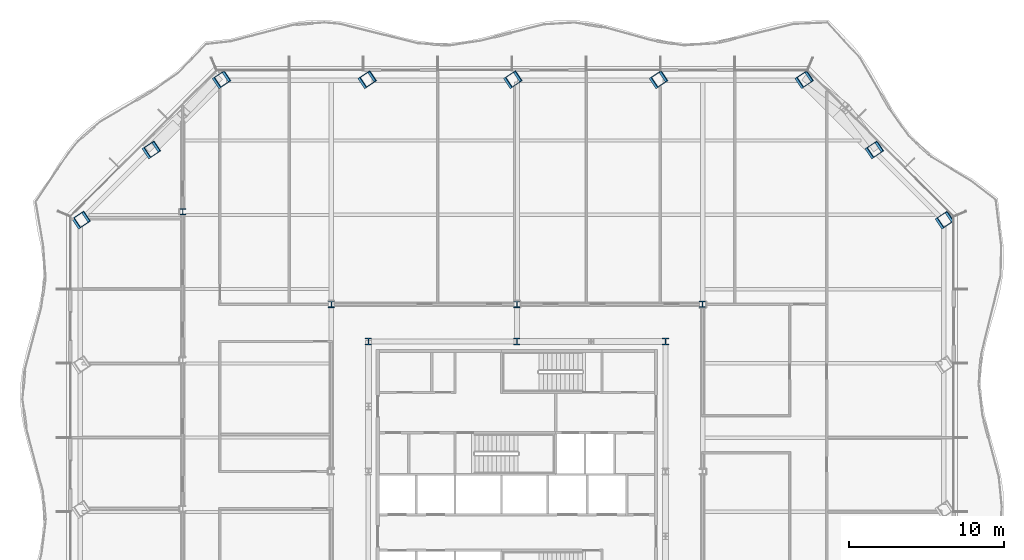
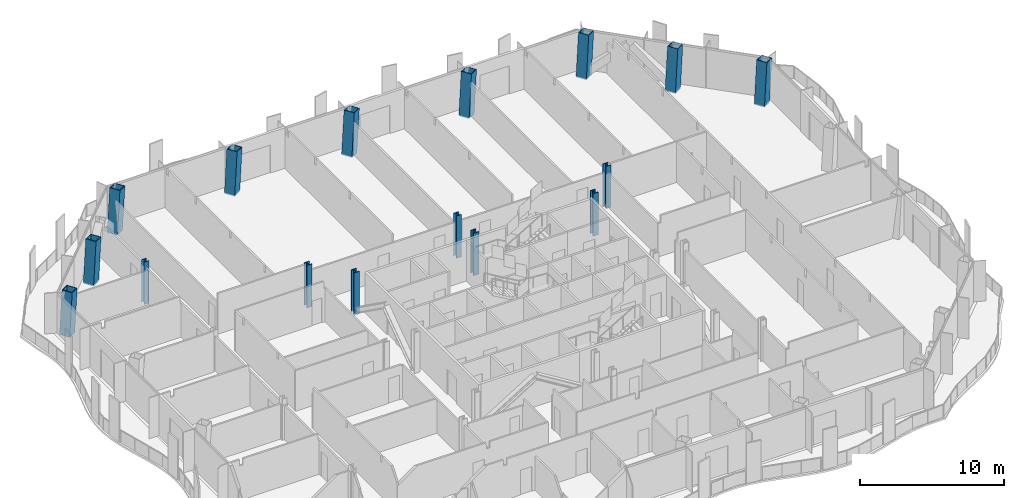
# One storey, part 2 of 22: 16 columns.
"""IFC4 building model written with IfcOpenShell, lengths in metres."""

import ifcopenshell
import ifcopenshell.guid

model = None  # the IFC model being written
_history = None  # IfcOwnerHistory: only IFC2X3 demands one
_inside = {}  # id of a spatial element -> (the spatial element, [elements in it])
_under = {}  # id of a project, library or spatial element -> (it, [spatial elements below it])
_declared = {}  # id of a project -> (the project, [libraries it declares])
_typed = {}  # id of a type object -> (the type object, [elements of that type])
_made_of = {}  # id of a material, layer set ... -> (it, [elements and type objects made of it])


def new_model(schema):
    """Start an empty IFC model of exactly this schema.

    Asked for "IFC4X3", IfcOpenShell would pick the latest addendum, in which some entities
    have other attributes; the version numbers below select the first issue.
    IFC2X3 requires an IfcOwnerHistory on every rooted entity: one is made here for all.
    """
    global model, _history
    if schema == "IFC4X3":
        model = ifcopenshell.file(schema_version=(4, 3, 0, 0))
    else:
        model = ifcopenshell.file(schema=schema)
    _inside.clear()
    _under.clear()
    _declared.clear()
    _typed.clear()
    _made_of.clear()
    _history = None
    if model.schema == "IFC2X3":
        org = make("IfcOrganization", Name="unknown")
        user = make(
            "IfcPersonAndOrganization",
            ThePerson=make("IfcPerson", FamilyName="unknown"),
            TheOrganization=org,
        )
        app = make(
            "IfcApplication",
            ApplicationDeveloper=org,
            Version="unknown",
            ApplicationFullName="unknown",
            ApplicationIdentifier="unknown",
        )
        _history = make(
            "IfcOwnerHistory",
            OwningUser=user,
            OwningApplication=app,
            ChangeAction="ADDED",
            CreationDate=0,
        )
    return model


def make(cls, **values):
    """One entity of the class cls with the attributes given. An attribute that is None is left unset."""
    return model.create_entity(
        cls, **{name: value for name, value in values.items() if value is not None}
    )


def rooted(cls, **values):
    """An entity with a GlobalId (a new one), such as an element, a storey or a relation."""
    return make(cls, GlobalId=ifcopenshell.guid.new(), OwnerHistory=_history, **values)


def si_unit(unit_type, name, prefix=None):
    """IfcSIUnit, for example si_unit("LENGTHUNIT", "METRE", prefix="MILLI")."""
    return make("IfcSIUnit", UnitType=unit_type, Prefix=prefix, Name=name)


def assignment(units):
    """IfcUnitAssignment: the units of a project."""
    return None if units is None else make("IfcUnitAssignment", Units=units)


def point(xyz):
    """IfcCartesianPoint."""
    return None if xyz is None else make("IfcCartesianPoint", Coordinates=xyz)


def direction(xyz):
    """IfcDirection."""
    return None if xyz is None else make("IfcDirection", DirectionRatios=xyz)


def frame(location, z_axis=None, x_axis=None):
    """IfcAxis2Placement3D, a coordinate frame: its origin and axes. An axis left out is left unset."""
    return make(
        "IfcAxis2Placement3D",
        Location=point(location),
        Axis=direction(z_axis),
        RefDirection=direction(x_axis),
    )


def frame_2d(location, x_axis=None):
    """IfcAxis2Placement2D, a coordinate frame in the plane: its origin and x axis."""
    return make(
        "IfcAxis2Placement2D", Location=point(location), RefDirection=direction(x_axis)
    )


def origin():
    """The frame at (0, 0, 0) with its axes left unset."""
    return frame((0.0, 0.0, 0.0))


def origin_2d():
    """The frame at (0, 0) in the plane with its x axis left unset."""
    return frame_2d((0.0, 0.0))


def place(relative_to, where):
    """IfcLocalPlacement: puts the frame where relative to a parent placement (None: the world)."""
    return make(
        "IfcLocalPlacement", PlacementRelTo=relative_to, RelativePlacement=where
    )


def context(
    kind, dimensions, precision=None, world=None, true_north=None, identifier=None
):
    """IfcGeometricRepresentationContext, for example the 3D "Model" context."""
    return make(
        "IfcGeometricRepresentationContext",
        ContextIdentifier=identifier,
        ContextType=kind,
        CoordinateSpaceDimension=dimensions,
        Precision=precision,
        WorldCoordinateSystem=world,
        TrueNorth=true_north,
    )


def subcontext(parent, identifier, kind, view, scale=None):
    """IfcGeometricRepresentationSubContext, for example "Body" below "Model"."""
    return make(
        "IfcGeometricRepresentationSubContext",
        ContextIdentifier=identifier,
        ContextType=kind,
        ParentContext=parent,
        TargetScale=scale,
        TargetView=view,
    )


def project(units=None, contexts=None):
    """IfcProject with its units and contexts."""
    return rooted(
        "IfcProject",
        Name="project",
        RepresentationContexts=contexts,
        UnitsInContext=assignment(units),
    )


def spatial(cls, under=None, at=None, **own):
    """A site, building, storey or space (cls), placed at a placement, below another one or the project."""
    s = rooted(cls, ObjectPlacement=at, **own)
    if under is not None:
        _under.setdefault(under.id(), (under, []))[1].append(s)
    return s


def profile(cls, at=None, kind="AREA", **sizes):
    """A parametric profile (cls). Its sizes go by their IFC names, for example OverallWidth=200.0."""
    return make(cls, ProfileType=kind, Position=at, **sizes)


def hollow_rectangle(**sizes):
    """IfcRectangleHollowProfileDef."""
    return profile("IfcRectangleHollowProfileDef", **sizes)


def i_section(**sizes):
    """IfcIShapeProfileDef."""
    return profile("IfcIShapeProfileDef", **sizes)


def extrude(swept, where, along, depth):
    """IfcExtrudedAreaSolid: the profile swept, set in the frame where, extruded along a direction by depth."""
    return make(
        "IfcExtrudedAreaSolid",
        SweptArea=swept,
        Position=where,
        ExtrudedDirection=direction(along),
        Depth=depth,
    )


def clip(a, b, op="DIFFERENCE"):
    """IfcBooleanClippingResult: the solid a cut by the half space b."""
    return make(
        "IfcBooleanClippingResult", Operator=op, FirstOperand=a, SecondOperand=b
    )


def halfspace(plane, agree):
    """IfcHalfSpaceSolid: all space on one side of the plane z = 0 of the frame plane."""
    return make(
        "IfcHalfSpaceSolid",
        BaseSurface=make("IfcPlane", Position=plane),
        AgreementFlag=agree,
    )


def shape(context_of_items, identifier, shape_type, items):
    """IfcShapeRepresentation: the items that make up one representation, for example the "Body"."""
    return make(
        "IfcShapeRepresentation",
        ContextOfItems=context_of_items,
        RepresentationIdentifier=identifier,
        RepresentationType=shape_type,
        Items=items,
    )


def material(Name=None, Category=None):
    """IfcMaterial."""
    return make("IfcMaterial", Name=Name, Category=Category)


def material_profile(
    of_material, cross_section, Name=None, Category=None, Priority=None
):
    """IfcMaterialProfile: a cross section and its material."""
    return make(
        "IfcMaterialProfile",
        Name=Name,
        Material=of_material,
        Profile=cross_section,
        Priority=Priority,
        Category=Category,
    )


def profile_set(profiles, Name=None, composite=None):
    """IfcMaterialProfileSet."""
    return make(
        "IfcMaterialProfileSet",
        Name=Name,
        MaterialProfiles=profiles,
        CompositeProfile=composite,
    )


def made_of(thing, what):
    """Note that an element or type object is made of a material, layer set ...; save() writes the relation."""
    if what is not None:
        _made_of.setdefault(what.id(), (what, []))[1].append(thing)
    return thing


def type_object(cls, material=None, **own):
    """A type object (cls), such as IfcWallType, which elements share."""
    return made_of(rooted(cls, **own), material)


def element(
    cls,
    number,
    at=None,
    inside=None,
    cuts=None,
    type_object=None,
    material=None,
    context=None,
    identifier="Body",
    shape_type=None,
    held_by="IfcProductDefinitionShape",
    body=None,
    shapes=None,
    **own,
):
    """One element of the class cls, such as IfcWall. Its Tag is "e" and its number.

    at: its placement. inside: the storey or other place that contains it. cuts: it is an
    opening in that element (IfcRelVoidsElement). A single representation is given by context,
    identifier, shape_type and body (its items); several are given by shapes. held_by: the class
    of the entity that holds the representations. save() writes the other relations.
    """
    e = rooted(cls, Tag="e%d" % number, ObjectPlacement=at, **own)
    if body is not None:
        shapes = [shape(context, identifier, shape_type, body)]
    if shapes is not None:
        e.Representation = make(held_by, Representations=shapes)
    if inside is not None:
        _inside.setdefault(inside.id(), (inside, []))[1].append(e)
    if cuts is not None:
        rooted(
            "IfcRelVoidsElement", RelatingBuildingElement=cuts, RelatedOpeningElement=e
        )
    if type_object is not None:
        _typed.setdefault(type_object.id(), (type_object, []))[1].append(e)
    return made_of(e, material)


def aggregate(whole, parts):
    """IfcRelAggregates: a whole, such as a stair, and the parts it consists of."""
    return rooted("IfcRelAggregates", RelatingObject=whole, RelatedObjects=parts)


def save(model, path):
    """Write the relations noted so far, then the file.

    IfcRelAggregates (storeys below a building ...), IfcRelContainedInSpatialStructure (elements
    in a storey), IfcRelDefinesByType, IfcRelAssociatesMaterial and IfcRelDeclares: one each for
    every whole, place, type object, material and project.
    """
    for whole, parts in _under.values():
        aggregate(whole, parts)
    for where, things in _inside.values():
        rooted(
            "IfcRelContainedInSpatialStructure",
            RelatedElements=things,
            RelatingStructure=where,
        )
    for kind, things in _typed.values():
        rooted("IfcRelDefinesByType", RelatedObjects=things, RelatingType=kind)
    for what, things in _made_of.values():
        rooted("IfcRelAssociatesMaterial", RelatedObjects=things, RelatingMaterial=what)
    for by, libraries in _declared.values():
        rooted("IfcRelDeclares", RelatingContext=by, RelatedDefinitions=libraries)
    model.write(path)


model = new_model("IFC4")

# Units and contexts
model_context = context("Model", 3, precision=1e-05, world=origin(), true_north=direction((0.0, 1.0)))
body_context = subcontext(model_context, "Body", "Model", "MODEL_VIEW")
ifc_project = project(units=[si_unit("LENGTHUNIT", "METRE"), si_unit("AREAUNIT", "SQUARE_METRE"), si_unit("VOLUMEUNIT", "CUBIC_METRE"), si_unit("PLANEANGLEUNIT", "RADIAN"), si_unit("MASSUNIT", "GRAM", prefix="KILO")], contexts=[model_context])

# Site, building, storey
site_placement = place(None, origin())
site = spatial("IfcSite", under=ifc_project, at=site_placement, CompositionType="ELEMENT")
building_placement = place(site_placement, origin())
building = spatial("IfcBuilding", under=site, at=building_placement, Name="Cairn Pilgrim Tower", CompositionType="ELEMENT")
storey_placement = place(building_placement, frame((0.0, 0.0, 112.199951171875)))
storey = spatial("IfcBuildingStorey", under=building, at=storey_placement, Name="L27", CompositionType="ELEMENT", Elevation=112.199951171875)

# Columns
ifc_material_1 = material(Name="Structural steel S460M", Category="steel")
ifc_material_profile_1 = material_profile(ifc_material_1, hollow_rectangle(XDim=0.800048828125, YDim=0.800048828125, WallThickness=0.050048828125, at=origin_2d()), Name="BOX 800x800x50")
ifc_profile_set_1 = profile_set([ifc_material_profile_1], Name="Structural steel S460M")
column_type_1 = type_object("IfcColumnType", Name="BOX 800x800x50", PredefinedType="COLUMN", material=ifc_profile_set_1)
for number, where, z_axis, x_axis, name in (
    (1, (34.779541015625, 18.613525390625, -0.14990234375), (0.088541637636, 0.059005280222, 0.994323264995), (-0.554553931674, 0.832147785472, 0.0), "PC1-NE1"),
    (2, (30.2431640625, 23.14990234375, -0.14990234375), (0.088541637636, 0.059005280222, 0.994323264995), (-0.554553931674, 0.832147785472, 0.0), "PC1-NE2"),
    (3, (25.706787109375, 27.686279296875, -0.14990234375), (0.088474731092, 0.059005632398, 0.994329199663), (-0.554846520795, 0.831952726038, 0.0), "PC1-N1"),
    (4, (16.293212890625, 27.686279296875, -0.14990234375), (0.088474731092, 0.059005632398, 0.994329199663), (-0.554846520795, 0.831952726038, 0.0), "PC1-N2"),
    (5, (6.87939453125, 27.686279296875, -0.14990234375), (0.088541637636, 0.059005280222, 0.994323264995), (-0.554553931674, 0.832147785472, 0.0), "PC1-N3"),
    (6, (-2.5341796875, 27.686279296875, -0.14990234375), (0.088541637636, 0.059005280222, 0.994323264995), (-0.554553931674, 0.832147785472, 0.0), "PC1-N4"),
    (7, (-11.94775390625, 27.686279296875, -0.14990234375), (0.088541637636, 0.059005280222, 0.994323264995), (-0.554553931674, 0.832147785472, 0.0), "PC1-NW1"),
    (8, (-16.484130859375, 23.14990234375, -0.14990234375), (0.088541637636, 0.059005280222, 0.994323264995), (-0.554553931674, 0.832147785472, 0.0), "PC1-NW2"),
    (9, (-21.0205078125, 18.613525390625, -0.14990234375), (0.088541637636, 0.059005280222, 0.994323264995), (-0.554553931674, 0.832147785472, 0.0), "PC1-W1"),
):
    element("IfcColumn", number, at=place(storey_placement, frame(where, z_axis=z_axis, x_axis=x_axis)), inside=storey, type_object=column_type_1, Name=name, PredefinedType="COLUMN", context=body_context, shape_type="Clipping", body=[
        clip(clip(extrude(hollow_rectangle(XDim=0.800048828125, YDim=0.800048828125, WallThickness=0.050048828125, at=origin_2d()), origin(), (0.0, 0.0, 1.0), 3.620361328125), halfspace(frame((0.0, 0.0, 0.023681640625), z_axis=(0.0, 0.0, 1.0), x_axis=(1.0, 0.0, 0.0)), True)), halfspace(frame((0.0, 0.0, 3.59912109375), z_axis=(0.0, 0.0, 1.0), x_axis=(1.0, 0.0, 0.0)), False)),
    ])
ifc_material_2 = material(Name="Structural steel S355J2", Category="steel")
ifc_material_profile_2 = material_profile(ifc_material_2, i_section(OverallWidth=0.39892578125, OverallDepth=0.39306640625, WebThickness=0.022705078125, FlangeThickness=0.03662109375, FilletRadius=0.014892578125, at=origin_2d()), Name="HD 400x287")
ifc_profile_set_2 = profile_set([ifc_material_profile_2], Name="Structural steel S355J2")
column_type_2 = type_object("IfcColumnType", Name="HD 400x287", PredefinedType="COLUMN", material=ifc_profile_set_2)
column_placement = place(storey_placement, frame((-14.39990234375, 19.199951171875, -0.14990234375), z_axis=(0.0, 0.0, 1.0), x_axis=(1.0, 0.0, 0.0)))
element("IfcColumn", 10, at=column_placement, inside=storey, type_object=column_type_2, Name="WC-WW+4", PredefinedType="COLUMN", context=body_context, shape_type="SweptSolid", body=[
    extrude(i_section(OverallWidth=0.39892578125, OverallDepth=0.39306640625, WebThickness=0.022705078125, FlangeThickness=0.03662109375, FilletRadius=0.014892578125, at=origin_2d()), origin(), (0.0, 0.0, 1.0), 3.599853515625),
])
ifc_material_profile_3 = material_profile(ifc_material_1, i_section(OverallWidth=0.408935546875, OverallDepth=0.425048828125, WebThickness=0.03271484375, FlangeThickness=0.052490234375, FilletRadius=0.014892578125, at=origin_2d()), Name="HD 400x421")
ifc_profile_set_3 = profile_set([ifc_material_profile_3], Name="Structural steel S460M")
column_type_3 = type_object("IfcColumnType", Name="HD 400x421", PredefinedType="COLUMN", material=ifc_profile_set_3)
for number, where, z_axis, x_axis, name in (
    (11, (-4.800048828125, 13.199951171875, -0.14990234375), (0.0, 0.0, 1.0), (1.0, 0.0, 0.0), "IC-6"),
    (12, (7.199951171875, 13.199951171875, -0.14990234375), (0.0, 0.0, 1.0), (1.0, 0.0, 0.0), "IC-7"),
    (13, (19.199951171875, 13.199951171875, -0.14990234375), (0.0, 0.0, 1.0), (1.0, 0.0, 0.0), "IC-8"),
):
    element("IfcColumn", number, at=place(storey_placement, frame(where, z_axis=z_axis, x_axis=x_axis)), inside=storey, type_object=column_type_3, Name=name, PredefinedType="COLUMN", context=body_context, shape_type="SweptSolid", body=[
        extrude(i_section(OverallWidth=0.408935546875, OverallDepth=0.425048828125, WebThickness=0.03271484375, FlangeThickness=0.052490234375, FilletRadius=0.014892578125, at=origin_2d()), origin(), (0.0, 0.0, 1.0), 3.599853515625),
    ])
ifc_material_profile_4 = material_profile(ifc_material_1, i_section(OverallWidth=0.424072265625, OverallDepth=0.47412109375, WebThickness=0.047607421875, FlangeThickness=0.0771484375, FilletRadius=0.014892578125, at=origin_2d()), Name="HD 400x634")
ifc_profile_set_4 = profile_set([ifc_material_profile_4], Name="Structural steel S460M")
column_type_4 = type_object("IfcColumnType", Name="HD 400x634", PredefinedType="COLUMN", material=ifc_profile_set_4)
for number, where, z_axis, x_axis, name in (
    (14, (-2.39990234375, 10.800048828125, -0.14990234375), (0.0, 0.0, 1.0), (1.0, 0.0, 0.0), "KC-6"),
    (15, (7.199951171875, 10.800048828125, -0.14990234375), (0.0, 0.0, 1.0), (1.0, 0.0, 0.0), "KC-7"),
    (16, (16.800048828125, 10.800048828125, -0.14990234375), (0.0, 0.0, 1.0), (1.0, 0.0, 0.0), "KC-8"),
):
    element("IfcColumn", number, at=place(storey_placement, frame(where, z_axis=z_axis, x_axis=x_axis)), inside=storey, type_object=column_type_4, Name=name, PredefinedType="COLUMN", context=body_context, shape_type="SweptSolid", body=[
        extrude(i_section(OverallWidth=0.424072265625, OverallDepth=0.47412109375, WebThickness=0.047607421875, FlangeThickness=0.0771484375, FilletRadius=0.014892578125, at=origin_2d()), origin(), (0.0, 0.0, 1.0), 3.599853515625),
    ])

save(model, "model.ifc")
